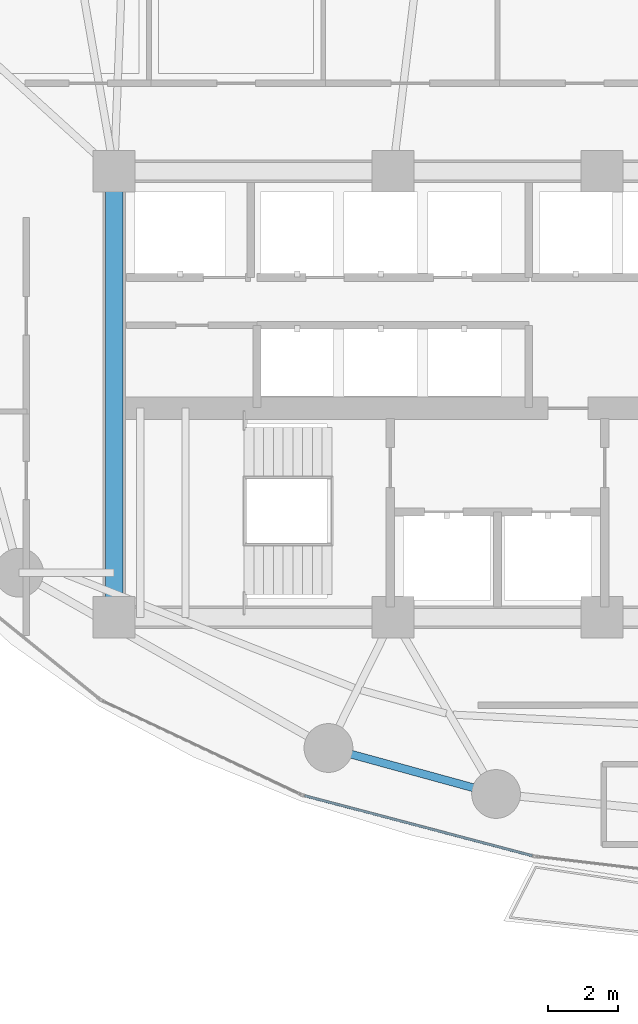
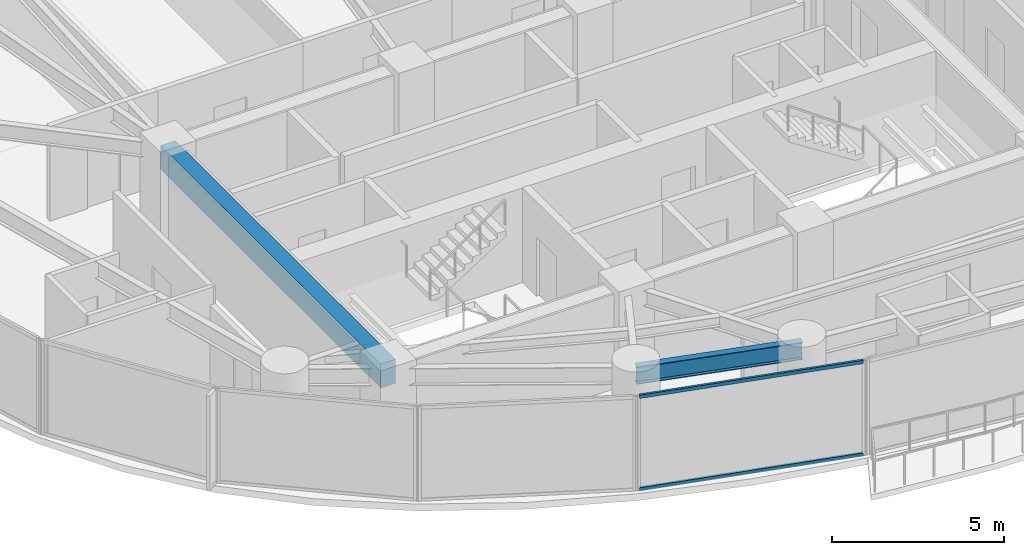
# One storey, part 4 of 30: 2 beams, 2 members, 1 element without a shape of its own.
"""IFC4 building model written with IfcOpenShell, lengths in metres."""

from ifc_helpers import new_model, si_unit, direction, frame, origin, origin_2d, place, context, subcontext, project, spatial, rectangle, hollow_rectangle, i_section, extrude, material, layer, layer_set, material_profile, profile_set, type_object, element, aggregate, save


model = new_model("IFC4")

# Units and contexts
model_context = context("Model", 3, precision=1e-05, world=origin(), true_north=direction((0.0, 1.0)))
body_context = subcontext(model_context, "Body", "Model", "MODEL_VIEW")
ifc_project = project(units=[si_unit("LENGTHUNIT", "METRE"), si_unit("AREAUNIT", "SQUARE_METRE"), si_unit("VOLUMEUNIT", "CUBIC_METRE"), si_unit("PLANEANGLEUNIT", "RADIAN"), si_unit("MASSUNIT", "GRAM", prefix="KILO")], contexts=[model_context])

# Site, building, storey
site_placement = place(None, origin())
site = spatial("IfcSite", under=ifc_project, at=site_placement, CompositionType="ELEMENT")
building_placement = place(site_placement, origin())
building = spatial("IfcBuilding", under=site, at=building_placement, Name="Kazevale Care Tower and Concert Hall", CompositionType="ELEMENT")
storey_placement = place(building_placement, frame((0.0, 0.0, 70.800048828125)))
storey = spatial("IfcBuildingStorey", under=building, at=storey_placement, Name="L18", CompositionType="ELEMENT", Elevation=70.800048828125)

# Curtain wall, members
ifc_material_1 = material(Name="Aluminium 6063-T6 and Low-E Glass", Category="aluminium")
ifc_layer = layer(ifc_material_1, 0.179931640625)
ifc_layer_set = layer_set([ifc_layer], Name="Aluminium 6063-T6 and Low-E Glass")
curtain_wall_type = type_object("IfcCurtainWallType", Name="Sheltered Concave Balcony Curtain Wall CW-5", PredefinedType="NOTDEFINED", material=ifc_layer_set)
curtain_wall_placement = place(storey_placement, origin())
curtain_wall = element("IfcCurtainWall", 1, at=curtain_wall_placement, inside=storey, type_object=curtain_wall_type, Name="cw:L18:f08", PredefinedType="NOTDEFINED")
ifc_material_2 = material(Name="Aluminium 6063-T6", Category="aluminium")
ifc_material_profile_1 = material_profile(ifc_material_2, hollow_rectangle(XDim=0.074951171875, YDim=0.1201171875, WallThickness=0.00390625, at=origin_2d()), Name="ALU75x120x4")
ifc_profile_set_1 = profile_set([ifc_material_profile_1], Name="Aluminium 6063-T6")
member_type = type_object("IfcMemberType", Name="CW-5 Transom ALU75x120x4", PredefinedType="USERDEFINED", material=ifc_profile_set_1)
member_1_placement = place(storey_placement, frame((33.995361328125, 16.760009765625, 0.037353515625), z_axis=(-0.966978405759, 0.254858319064, 0.0), x_axis=(-0.254858319064, -0.966978405759, 0.0)))
member_1 = element("IfcMember", 2, at=member_1_placement, type_object=member_type, Name="CW-5 transom 1.1", ObjectType="TRANSOM", PredefinedType="USERDEFINED", context=body_context, shape_type="SweptSolid", body=[
    extrude(hollow_rectangle(XDim=0.074951171875, YDim=0.1201171875, WallThickness=0.00390625, at=origin_2d()), origin(), (0.0, 0.0, 1.0), 6.748779296875),
])
member_2_placement = place(storey_placement, frame((33.995361328125, 16.760009765625, 3.322509765625), z_axis=(-0.966978405759, 0.254858319064, 0.0), x_axis=(-0.254858319064, -0.966978405759, 0.0)))
member_2 = element("IfcMember", 3, at=member_2_placement, type_object=member_type, Name="CW-5 transom 1.2", ObjectType="TRANSOM", PredefinedType="USERDEFINED", context=body_context, shape_type="SweptSolid", body=[
    extrude(hollow_rectangle(XDim=0.074951171875, YDim=0.1201171875, WallThickness=0.00390625, at=origin_2d()), origin(), (0.0, 0.0, 1.0), 6.748779296875),
])
aggregate(curtain_wall, [member_1, member_2])

# Beams
ifc_material_3 = material(Name="Concrete C60", Category="concrete")
ifc_material_profile_2 = material_profile(ifc_material_3, rectangle(XDim=0.5, YDim=0.85009765625, at=origin_2d()), Name="RC-B500x850")
ifc_profile_set_2 = profile_set([ifc_material_profile_2], Name="Concrete C60")
beam_type_1 = type_object("IfcBeamType", Name="Core Coupling Beam RC500x850", PredefinedType="LINTEL", material=ifc_profile_set_2)
beam_1_placement = place(storey_placement, frame((22.0, 36.39990234375, 2.93505859375), z_axis=(0.0, -1.0, 0.0), x_axis=(1.0, 0.0, 0.0)))
element("IfcBeam", 4, at=beam_1_placement, inside=storey, type_object=beam_type_1, Name="beam:L18:coretie:8", PredefinedType="LINTEL", context=body_context, shape_type="SweptSolid", body=[
    extrude(rectangle(XDim=0.5, YDim=0.85009765625, at=origin_2d()), origin(), (0.0, 0.0, 1.0), 12.7998046875),
])
ifc_material_4 = material(Name="Steel ASTM A572 Gr 50", Category="steel")
ifc_material_profile_3 = material_profile(ifc_material_4, i_section(OverallWidth=0.22900390625, OverallDepth=0.612060546875, WebThickness=0.011962890625, FlangeThickness=0.01953125, at=origin_2d()), Name="W610x125")
ifc_profile_set_3 = profile_set([ifc_material_profile_3], Name="Steel ASTM A572 Gr 50")
beam_type_2 = type_object("IfcBeamType", Name="Ring Spandrel Beam W610x125", PredefinedType="SPANDREL", material=ifc_profile_set_3)
beam_2_placement = place(storey_placement, frame((28.14990234375, 19.85009765625, 3.053955078125), z_axis=(0.964343540473, -0.264653615031, 0.0), x_axis=(0.264653615031, 0.964343540473, 0.0)))
element("IfcBeam", 5, at=beam_2_placement, inside=storey, type_object=beam_type_2, Name="beam:L18:ring:11", PredefinedType="SPANDREL", context=body_context, shape_type="SweptSolid", body=[
    extrude(i_section(OverallWidth=0.22900390625, OverallDepth=0.612060546875, WebThickness=0.011962890625, FlangeThickness=0.01953125, at=origin_2d()), origin(), (0.0, 0.0, 1.0), 4.98779296875),
])

save(model, "model.ifc")
